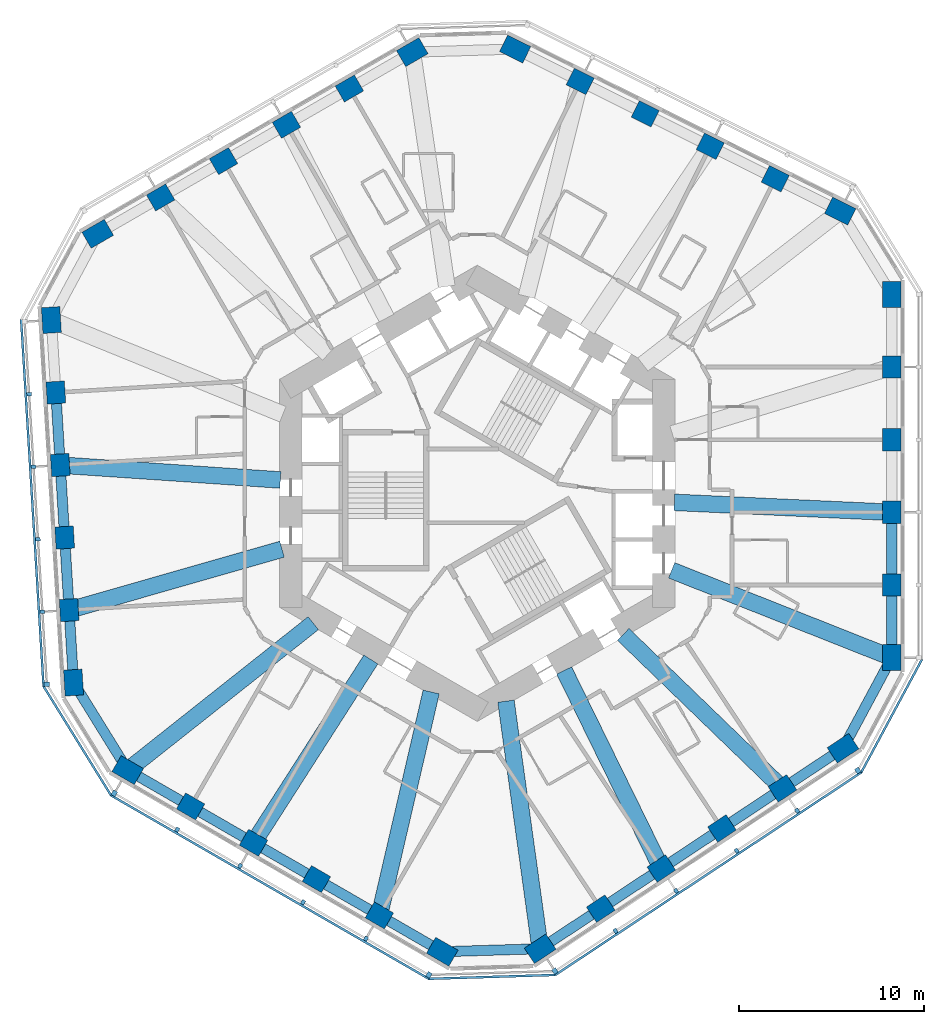
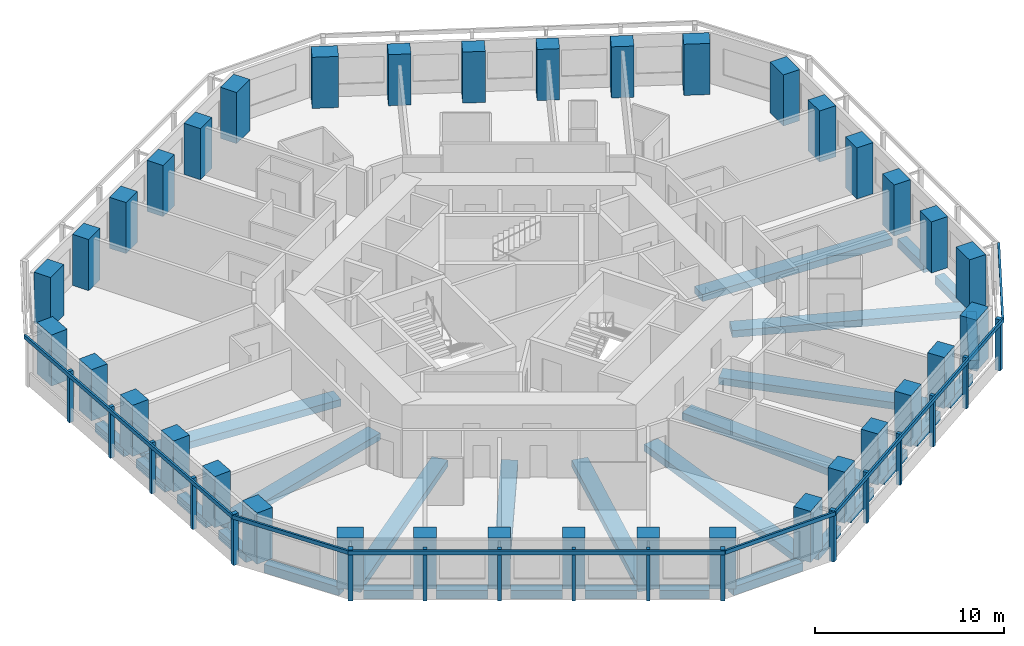
# One storey, part 1 of 12: 36 columns, 29 beams, 23 members, 6 elements without a shape of their own.
"""IFC4 building model written with IfcOpenShell, lengths in metres."""

from ifc_helpers import new_model, si_unit, direction, frame, origin, origin_2d, place, context, subcontext, project, spatial, rectangle, extrude, material, material_profile, profile_set, type_object, element, aggregate, save


model = new_model("IFC4")

# Units and contexts
model_context = context("Model", 3, precision=1e-05, world=origin(), true_north=direction((0.0, 1.0)))
body_context = subcontext(model_context, "Body", "Model", "MODEL_VIEW")
ifc_project = project(units=[si_unit("LENGTHUNIT", "METRE"), si_unit("AREAUNIT", "SQUARE_METRE"), si_unit("VOLUMEUNIT", "CUBIC_METRE"), si_unit("PLANEANGLEUNIT", "RADIAN"), si_unit("MASSUNIT", "GRAM", prefix="KILO")], contexts=[model_context])

# Site, building, storey
site_placement = place(None, origin())
site = spatial("IfcSite", under=ifc_project, at=site_placement, CompositionType="ELEMENT")
building_placement = place(site_placement, origin())
building = spatial("IfcBuilding", under=site, at=building_placement, Name="Vanh Sen Convention Tower", CompositionType="ELEMENT")
storey_placement = place(building_placement, frame((0.0, 0.0, 83.60009765625)))
storey = spatial("IfcBuildingStorey", under=building, at=storey_placement, Name="L18", CompositionType="ELEMENT", Elevation=83.60009765625)

# Columns
ifc_material_1 = material(Name="Concrete C80/95", Category="concrete")
ifc_material_profile_1 = material_profile(ifc_material_1, rectangle(XDim=1.199951171875, YDim=1.0, at=origin_2d()), Name="RC 1200X1000")
ifc_profile_set_1 = profile_set([ifc_material_profile_1], Name="Concrete C80/95")
column_type_1 = type_object("IfcColumnType", Name="Facade column 1200 x 1000 C80/95", PredefinedType="COLUMN", material=ifc_profile_set_1)
for number, where, z_axis, x_axis, name in (
    (1, (22.449951171875, -4.964599609375, 0.0), (0.0, 0.0, 1.0), (0.0, 1.0, 0.0), "Facade column 02 L18"),
    (2, (22.449951171875, -1.030029296875, 0.0), (0.0, 0.0, 1.0), (0.0, 1.0, 0.0), "Facade column 03 L18"),
    (3, (22.449951171875, 2.904541015625, 0.0), (0.0, 0.0, 1.0), (0.0, 1.0, 0.0), "Facade column 04 L18"),
    (4, (22.449951171875, 6.839111328125, 0.0), (0.0, 0.0, 1.0), (0.0, 1.0, 0.0), "Facade column 05 L18"),
    (5, (16.1376953125, 17.039794921875, 0.0), (0.0, 0.0, 1.0), (-0.894934361602, 0.44619781311, 0.0), "Facade column 08 L18"),
    (6, (12.616455078125, 18.79541015625, 0.0), (0.0, 0.0, 1.0), (-0.894934361602, 0.44619781311, 0.0), "Facade column 09 L18"),
    (7, (9.09521484375, 20.55078125, 0.0), (0.0, 0.0, 1.0), (-0.894934361602, 0.44619781311, 0.0), "Facade column 10 L18"),
    (8, (5.57421875, 22.306396484375, 0.0), (0.0, 0.0, 1.0), (-0.894934361602, 0.44619781311, 0.0), "Facade column 11 L18"),
    (9, (-6.925537109375, 21.924560546875, 0.0), (0.0, 0.0, 1.0), (-0.866025403784, -0.5, 0.0), "Facade column 14 L18"),
    (10, (-10.3330078125, 19.957275390625, 0.0), (0.0, 0.0, 1.0), (-0.866025403784, -0.5, 0.0), "Facade column 15 L18"),
    (11, (-13.740478515625, 17.989990234375, 0.0), (0.0, 0.0, 1.0), (-0.866025403784, -0.5, 0.0), "Facade column 16 L18"),
    (12, (-17.14794921875, 16.022705078125, 0.0), (0.0, 0.0, 1.0), (-0.866025403784, -0.5, 0.0), "Facade column 17 L18"),
    (13, (-22.82568359375, 5.455810546875, 0.0), (0.0, 0.0, 1.0), (0.061048539535, -0.998134798422, 0.0), "Facade column 20 L18"),
    (14, (-22.58544921875, 1.528564453125, 0.0), (0.0, 0.0, 1.0), (0.061048539535, -0.998134798422, 0.0), "Facade column 21 L18"),
    (15, (-22.34521484375, -2.398681640625, 0.0), (0.0, 0.0, 1.0), (0.061048539535, -0.998134798422, 0.0), "Facade column 22 L18"),
    (16, (-22.10498046875, -6.325927734375, 0.0), (0.0, 0.0, 1.0), (0.061048539535, -0.998134798422, 0.0), "Facade column 23 L18"),
    (17, (-15.5244140625, -16.9599609375, 0.0), (0.0, 0.0, 1.0), (0.866025403784, -0.5, 0.0), "Facade column 26 L18"),
    (18, (-12.1171875, -18.92724609375, 0.0), (0.0, 0.0, 1.0), (0.866025403784, -0.5, 0.0), "Facade column 27 L18"),
    (19, (-8.709716796875, -20.89453125, 0.0), (0.0, 0.0, 1.0), (0.866025403784, -0.5, 0.0), "Facade column 28 L18"),
    (20, (-5.302001953125, -22.86181640625, 0.0), (0.0, 0.0, 1.0), (0.866025403784, -0.5, 0.0), "Facade column 29 L18"),
    (21, (6.68798828125, -22.49560546875, 0.0), (0.0, 0.0, 1.0), (0.833885822067, 0.551936985312, 0.0), "Facade column 32 L18"),
    (22, (9.968994140625, -20.323974609375, 0.0), (0.0, 0.0, 1.0), (0.833885822067, 0.551936985312, 0.0), "Facade column 33 L18"),
    (23, (13.25, -18.152099609375, 0.0), (0.0, 0.0, 1.0), (0.833885822067, 0.551936985312, 0.0), "Facade column 34 L18"),
    (24, (16.531005859375, -15.980712890625, 0.0), (0.0, 0.0, 1.0), (0.833885822067, 0.551936985312, 0.0), "Facade column 35 L18"),
):
    element("IfcColumn", number, at=place(storey_placement, frame(where, z_axis=z_axis, x_axis=x_axis)), inside=storey, type_object=column_type_1, Name=name, PredefinedType="COLUMN", context=body_context, shape_type="SweptSolid", body=[
        extrude(rectangle(XDim=1.199951171875, YDim=1.0, at=origin_2d()), origin(), (0.0, 0.0, 1.0), 3.2998046875),
    ])
ifc_material_profile_2 = material_profile(ifc_material_1, rectangle(XDim=1.39990234375, YDim=1.0, at=origin_2d()), Name="RC 1400X1000")
ifc_profile_set_2 = profile_set([ifc_material_profile_2], Name="Concrete C80/95")
column_type_2 = type_object("IfcColumnType", Name="Facade corner column 1400 x 1000 C80/95", PredefinedType="COLUMN", material=ifc_profile_set_2)
for number, where, z_axis, x_axis, name in (
    (25, (22.449951171875, -8.899169921875, 0.0), (0.0, 0.0, 1.0), (0.0, 1.0, 0.0), "Facade column 01 L18"),
    (26, (22.449951171875, 10.773681640625, 0.0), (0.0, 0.0, 1.0), (0.0, 1.0, 0.0), "Facade column 06 L18"),
    (27, (19.658935546875, 15.2841796875, 0.0), (0.0, 0.0, 1.0), (-0.894934361602, 0.44619781311, 0.0), "Facade column 07 L18"),
    (28, (2.052978515625, 24.06201171875, 0.0), (0.0, 0.0, 1.0), (-0.894934361602, 0.44619781311, 0.0), "Facade column 12 L18"),
    (29, (-3.51806640625, 23.891845703125, 0.0), (0.0, 0.0, 1.0), (-0.866025403784, -0.5, 0.0), "Facade column 13 L18"),
    (30, (-20.555419921875, 14.055419921875, 0.0), (0.0, 0.0, 1.0), (-0.866025403784, -0.5, 0.0), "Facade column 18 L18"),
    (31, (-23.06591796875, 9.383056640625, 0.0), (0.0, 0.0, 1.0), (0.061048539535, -0.998134798422, 0.0), "Facade column 19 L18"),
    (32, (-21.86474609375, -10.253173828125, 0.0), (0.0, 0.0, 1.0), (0.061048539535, -0.998134798422, 0.0), "Facade column 24 L18"),
    (33, (-18.931884765625, -14.99267578125, 0.0), (0.0, 0.0, 1.0), (0.866025403784, -0.5, 0.0), "Facade column 25 L18"),
    (34, (-1.894775390625, -24.8291015625, 0.0), (0.0, 0.0, 1.0), (0.866025403784, -0.5, 0.0), "Facade column 30 L18"),
    (35, (3.406982421875, -24.6669921875, 0.0), (0.0, 0.0, 1.0), (0.833885822067, 0.551936985312, 0.0), "Facade column 31 L18"),
    (36, (19.81201171875, -13.808837890625, 0.0), (0.0, 0.0, 1.0), (0.833885822067, 0.551936985312, 0.0), "Facade column 36 L18"),
):
    element("IfcColumn", number, at=place(storey_placement, frame(where, z_axis=z_axis, x_axis=x_axis)), inside=storey, type_object=column_type_2, Name=name, PredefinedType="COLUMN", context=body_context, shape_type="SweptSolid", body=[
        extrude(rectangle(XDim=1.39990234375, YDim=1.0, at=origin_2d()), origin(), (0.0, 0.0, 1.0), 3.2998046875),
    ])

# Curtain wall, member
ifc_material_2 = material(Name="Concrete C50/60", Category="concrete")
curtain_wall_type = type_object("IfcCurtainWallType", Name="Outer skin hotel zone", PredefinedType="NOTDEFINED", material=ifc_material_2)
curtain_wall_1_placement = place(storey_placement, origin())
curtain_wall_1 = element("IfcCurtainWall", 37, at=curtain_wall_1_placement, inside=storey, type_object=curtain_wall_type, Name="OUTER SKIN W L18", PredefinedType="NOTDEFINED")
ifc_material_profile_3 = material_profile(ifc_material_2, rectangle(XDim=0.25, YDim=0.300048828125, at=origin_2d()), Name="Outer skin precast corner fin 250 x 300")
ifc_profile_set_3 = profile_set([ifc_material_profile_3], Name="Concrete C50/60")
member_type_1 = type_object("IfcMemberType", Name="Outer skin precast corner fin 250 x 300", PredefinedType="MULLION", material=ifc_profile_set_3)
member_1_placement = place(storey_placement, frame((-23.31201171875, -10.341796875, 0.0), z_axis=(0.0, 0.0, 1.0), x_axis=(0.061048539535, -0.998134798422, 0.0)))
member_1 = element("IfcMember", 38, at=member_1_placement, type_object=member_type_1, Name="OUTER SKIN CORNER FIN 6 W L18", PredefinedType="MULLION", context=body_context, shape_type="SweptSolid", body=[
    extrude(rectangle(XDim=0.25, YDim=0.300048828125, at=origin_2d()), origin(), (0.0, 0.0, 1.0), 3.2998046875),
])

# Curtain wall, members
curtain_wall_2_placement = place(storey_placement, origin())
curtain_wall_2 = element("IfcCurtainWall", 39, at=curtain_wall_2_placement, inside=storey, type_object=curtain_wall_type, Name="OUTER SKIN SW L18", PredefinedType="NOTDEFINED")
member_2_placement = place(storey_placement, frame((-19.656982421875, -16.248291015625, 0.0), z_axis=(0.0, 0.0, 1.0), x_axis=(0.866025403784, -0.5, 0.0)))
member_2 = element("IfcMember", 40, at=member_2_placement, type_object=member_type_1, Name="OUTER SKIN CORNER FIN 1 SW L18", PredefinedType="MULLION", context=body_context, shape_type="SweptSolid", body=[
    extrude(rectangle(XDim=0.25, YDim=0.300048828125, at=origin_2d()), origin(), (0.0, 0.0, 1.0), 3.2998046875),
])
member_3_placement = place(storey_placement, frame((-2.61962890625, -26.084716796875, 0.0), z_axis=(0.0, 0.0, 1.0), x_axis=(0.866025403784, -0.5, 0.0)))
member_3 = element("IfcMember", 41, at=member_3_placement, type_object=member_type_1, Name="OUTER SKIN CORNER FIN 6 SW L18", PredefinedType="MULLION", context=body_context, shape_type="SweptSolid", body=[
    extrude(rectangle(XDim=0.25, YDim=0.300048828125, at=origin_2d()), origin(), (0.0, 0.0, 1.0), 3.2998046875),
])

curtain_wall_3_placement = place(storey_placement, origin())
curtain_wall_3 = element("IfcCurtainWall", 42, at=curtain_wall_3_placement, inside=storey, type_object=curtain_wall_type, Name="OUTER SKIN SE L18", PredefinedType="NOTDEFINED")
member_4_placement = place(storey_placement, frame((4.207275390625, -25.876220703125, 0.0), z_axis=(0.0, 0.0, 1.0), x_axis=(0.833885822067, 0.551936985312, 0.0)))
member_4 = element("IfcMember", 43, at=member_4_placement, type_object=member_type_1, Name="OUTER SKIN CORNER FIN 1 SE L18", PredefinedType="MULLION", context=body_context, shape_type="SweptSolid", body=[
    extrude(rectangle(XDim=0.25, YDim=0.300048828125, at=origin_2d()), origin(), (0.0, 0.0, 1.0), 3.2998046875),
])
member_5_placement = place(storey_placement, frame((20.6123046875, -15.01806640625, 0.0), z_axis=(0.0, 0.0, 1.0), x_axis=(0.833885822067, 0.551936985312, 0.0)))
member_5 = element("IfcMember", 44, at=member_5_placement, type_object=member_type_1, Name="OUTER SKIN CORNER FIN 6 SE L18", PredefinedType="MULLION", context=body_context, shape_type="SweptSolid", body=[
    extrude(rectangle(XDim=0.25, YDim=0.300048828125, at=origin_2d()), origin(), (0.0, 0.0, 1.0), 3.2998046875),
])

# Member
ifc_material_profile_4 = material_profile(ifc_material_2, rectangle(XDim=0.199951171875, YDim=0.25, at=origin_2d()), Name="Outer skin precast fin 200 x 250")
ifc_profile_set_4 = profile_set([ifc_material_profile_4], Name="Concrete C50/60")
member_type_2 = type_object("IfcMemberType", Name="Outer skin precast fin 200 x 250", PredefinedType="MULLION", material=ifc_profile_set_4)
member_6_placement = place(storey_placement, frame((-24.27294921875, 5.3671875, 0.0), z_axis=(0.0, 0.0, 1.0), x_axis=(0.061048539535, -0.998134798422, 0.0)))
member_6 = element("IfcMember", 45, at=member_6_placement, type_object=member_type_2, Name="OUTER SKIN fin 2 W L18", PredefinedType="MULLION", context=body_context, shape_type="SweptSolid", body=[
    extrude(rectangle(XDim=0.199951171875, YDim=0.25, at=origin_2d()), origin(), (0.0, 0.0, 1.0), 3.2998046875),
])

member_7_placement = place(storey_placement, frame((-24.03271484375, 1.440185546875, 0.0), z_axis=(0.0, 0.0, 1.0), x_axis=(0.061048539535, -0.998134798422, 0.0)))
member_7 = element("IfcMember", 46, at=member_7_placement, type_object=member_type_2, Name="OUTER SKIN fin 3 W L18", PredefinedType="MULLION", context=body_context, shape_type="SweptSolid", body=[
    extrude(rectangle(XDim=0.199951171875, YDim=0.25, at=origin_2d()), origin(), (0.0, 0.0, 1.0), 3.2998046875),
])

member_8_placement = place(storey_placement, frame((-23.79248046875, -2.4873046875, 0.0), z_axis=(0.0, 0.0, 1.0), x_axis=(0.061048539535, -0.998134798422, 0.0)))
member_8 = element("IfcMember", 47, at=member_8_placement, type_object=member_type_2, Name="OUTER SKIN fin 4 W L18", PredefinedType="MULLION", context=body_context, shape_type="SweptSolid", body=[
    extrude(rectangle(XDim=0.199951171875, YDim=0.25, at=origin_2d()), origin(), (0.0, 0.0, 1.0), 3.2998046875),
])

member_9_placement = place(storey_placement, frame((-23.55224609375, -6.414306640625, 0.0), z_axis=(0.0, 0.0, 1.0), x_axis=(0.061048539535, -0.998134798422, 0.0)))
member_9 = element("IfcMember", 48, at=member_9_placement, type_object=member_type_2, Name="OUTER SKIN fin 5 W L18", PredefinedType="MULLION", context=body_context, shape_type="SweptSolid", body=[
    extrude(rectangle(XDim=0.199951171875, YDim=0.25, at=origin_2d()), origin(), (0.0, 0.0, 1.0), 3.2998046875),
])

member_10_placement = place(storey_placement, frame((-16.24951171875, -18.2158203125, 0.0), z_axis=(0.0, 0.0, 1.0), x_axis=(0.866025403784, -0.5, 0.0)))
member_10 = element("IfcMember", 49, at=member_10_placement, type_object=member_type_2, Name="OUTER SKIN fin 2 SW L18", PredefinedType="MULLION", context=body_context, shape_type="SweptSolid", body=[
    extrude(rectangle(XDim=0.199951171875, YDim=0.25, at=origin_2d()), origin(), (0.0, 0.0, 1.0), 3.2998046875),
])

member_11_placement = place(storey_placement, frame((-12.842041015625, -20.182861328125, 0.0), z_axis=(0.0, 0.0, 1.0), x_axis=(0.866025403784, -0.5, 0.0)))
member_11 = element("IfcMember", 50, at=member_11_placement, type_object=member_type_2, Name="OUTER SKIN fin 3 SW L18", PredefinedType="MULLION", context=body_context, shape_type="SweptSolid", body=[
    extrude(rectangle(XDim=0.199951171875, YDim=0.25, at=origin_2d()), origin(), (0.0, 0.0, 1.0), 3.2998046875),
])

member_12_placement = place(storey_placement, frame((-9.4345703125, -22.150146484375, 0.0), z_axis=(0.0, 0.0, 1.0), x_axis=(0.866025403784, -0.5, 0.0)))
member_12 = element("IfcMember", 51, at=member_12_placement, type_object=member_type_2, Name="OUTER SKIN fin 4 SW L18", PredefinedType="MULLION", context=body_context, shape_type="SweptSolid", body=[
    extrude(rectangle(XDim=0.199951171875, YDim=0.25, at=origin_2d()), origin(), (0.0, 0.0, 1.0), 3.2998046875),
])

member_13_placement = place(storey_placement, frame((-6.027099609375, -24.117431640625, 0.0), z_axis=(0.0, 0.0, 1.0), x_axis=(0.866025403784, -0.5, 0.0)))
member_13 = element("IfcMember", 52, at=member_13_placement, type_object=member_type_2, Name="OUTER SKIN fin 5 SW L18", PredefinedType="MULLION", context=body_context, shape_type="SweptSolid", body=[
    extrude(rectangle(XDim=0.199951171875, YDim=0.25, at=origin_2d()), origin(), (0.0, 0.0, 1.0), 3.2998046875),
])

member_14_placement = place(storey_placement, frame((7.48828125, -23.70458984375, 0.0), z_axis=(0.0, 0.0, 1.0), x_axis=(0.833885822067, 0.551936985312, 0.0)))
member_14 = element("IfcMember", 53, at=member_14_placement, type_object=member_type_2, Name="OUTER SKIN fin 2 SE L18", PredefinedType="MULLION", context=body_context, shape_type="SweptSolid", body=[
    extrude(rectangle(XDim=0.199951171875, YDim=0.25, at=origin_2d()), origin(), (0.0, 0.0, 1.0), 3.2998046875),
])

member_15_placement = place(storey_placement, frame((10.769287109375, -21.532958984375, 0.0), z_axis=(0.0, 0.0, 1.0), x_axis=(0.833885822067, 0.551936985312, 0.0)))
member_15 = element("IfcMember", 54, at=member_15_placement, type_object=member_type_2, Name="OUTER SKIN fin 3 SE L18", PredefinedType="MULLION", context=body_context, shape_type="SweptSolid", body=[
    extrude(rectangle(XDim=0.199951171875, YDim=0.25, at=origin_2d()), origin(), (0.0, 0.0, 1.0), 3.2998046875),
])

member_16_placement = place(storey_placement, frame((14.05029296875, -19.361328125, 0.0), z_axis=(0.0, 0.0, 1.0), x_axis=(0.833885822067, 0.551936985312, 0.0)))
member_16 = element("IfcMember", 55, at=member_16_placement, type_object=member_type_2, Name="OUTER SKIN fin 4 SE L18", PredefinedType="MULLION", context=body_context, shape_type="SweptSolid", body=[
    extrude(rectangle(XDim=0.199951171875, YDim=0.25, at=origin_2d()), origin(), (0.0, 0.0, 1.0), 3.2998046875),
])

member_17_placement = place(storey_placement, frame((17.331298828125, -17.189697265625, 0.0), z_axis=(0.0, 0.0, 1.0), x_axis=(0.833885822067, 0.551936985312, 0.0)))
member_17 = element("IfcMember", 56, at=member_17_placement, type_object=member_type_2, Name="OUTER SKIN fin 5 SE L18", PredefinedType="MULLION", context=body_context, shape_type="SweptSolid", body=[
    extrude(rectangle(XDim=0.199951171875, YDim=0.25, at=origin_2d()), origin(), (0.0, 0.0, 1.0), 3.2998046875),
])

ifc_material_profile_5 = material_profile(ifc_material_2, rectangle(XDim=0.1201171875, YDim=0.25, at=origin_2d()), Name="Outer skin precast spandrel band 250 x 120")
ifc_profile_set_5 = profile_set([ifc_material_profile_5], Name="Concrete C50/60")
member_type_3 = type_object("IfcMemberType", Name="Outer skin precast spandrel band 250 x 120", PredefinedType="USERDEFINED", material=ifc_profile_set_5)
member_18_placement = place(storey_placement, frame((-24.705322265625, 9.408203125, 3.1748046875), z_axis=(0.061050017989, -0.998134707995, 0.0), x_axis=(0.998134707995, 0.061050017989, 0.0)))
member_18 = element("IfcMember", 57, at=member_18_placement, type_object=member_type_3, Name="OUTER SKIN spandrel band W L18", ObjectType="TRANSOM", PredefinedType="USERDEFINED", context=body_context, shape_type="SweptSolid", body=[
    extrude(rectangle(XDim=0.1201171875, YDim=0.25, at=origin_2d()), origin(), (0.0, 0.0, 1.0), 19.923095703125),
])

aggregate(curtain_wall_1, [member_6, member_7, member_8, member_9, member_1, member_18])

# Curtain wall, member
curtain_wall_4_placement = place(storey_placement, origin())
curtain_wall_4 = element("IfcCurtainWall", 58, at=curtain_wall_4_placement, inside=storey, type_object=curtain_wall_type, Name="OUTER SKIN CH4 L18", PredefinedType="NOTDEFINED")
member_19_placement = place(storey_placement, frame((-23.49072265625, -10.4521484375, 3.1748046875), z_axis=(0.526196095141, -0.850363257354, 0.0), x_axis=(0.850363257354, 0.526196095141, 0.0)))
member_19 = element("IfcMember", 59, at=member_19_placement, type_object=member_type_3, Name="OUTER SKIN spandrel band CH4 L18", ObjectType="TRANSOM", PredefinedType="USERDEFINED", context=body_context, shape_type="SweptSolid", body=[
    extrude(rectangle(XDim=0.1201171875, YDim=0.25, at=origin_2d()), origin(), (0.0, 0.0, 1.0), 6.946044921875),
])
aggregate(curtain_wall_4, [member_19])

# Member
member_20_placement = place(storey_placement, frame((-19.85791015625, -16.34619140625, 3.1748046875), z_axis=(0.866028047459, -0.499995420993, 0.0), x_axis=(0.499995420993, 0.866028047459, 0.0)))
member_20 = element("IfcMember", 60, at=member_20_placement, type_object=member_type_3, Name="OUTER SKIN spandrel band SW L18", ObjectType="TRANSOM", PredefinedType="USERDEFINED", context=body_context, shape_type="SweptSolid", body=[
    extrude(rectangle(XDim=0.1201171875, YDim=0.25, at=origin_2d()), origin(), (0.0, 0.0, 1.0), 19.923095703125),
])

aggregate(curtain_wall_2, [member_2, member_10, member_11, member_12, member_13, member_3, member_20])

# Curtain wall, member
curtain_wall_5_placement = place(storey_placement, origin())
curtain_wall_5 = element("IfcCurtainWall", 61, at=curtain_wall_5_placement, inside=storey, type_object=curtain_wall_type, Name="OUTER SKIN CH5 L18", PredefinedType="NOTDEFINED")
member_21_placement = place(storey_placement, frame((-2.61328125, -26.294677734375, 3.1748046875), z_axis=(0.99953396928, 0.030526124156, 0.0), x_axis=(-0.030526124156, 0.99953396928, 0.0)))
member_21 = element("IfcMember", 62, at=member_21_placement, type_object=member_type_3, Name="OUTER SKIN spandrel band CH5 L18", ObjectType="TRANSOM", PredefinedType="USERDEFINED", context=body_context, shape_type="SweptSolid", body=[
    extrude(rectangle(XDim=0.1201171875, YDim=0.25, at=origin_2d()), origin(), (0.0, 0.0, 1.0), 6.830078125),
])
aggregate(curtain_wall_5, [member_21])

# Member
member_22_placement = place(storey_placement, frame((4.205078125, -26.099609375, 3.1748046875), z_axis=(0.833883851182, 0.551939962984, 0.0), x_axis=(-0.551939962984, 0.833883851182, 0.0)))
member_22 = element("IfcMember", 63, at=member_22_placement, type_object=member_type_3, Name="OUTER SKIN spandrel band SE L18", ObjectType="TRANSOM", PredefinedType="USERDEFINED", context=body_context, shape_type="SweptSolid", body=[
    extrude(rectangle(XDim=0.1201171875, YDim=0.25, at=origin_2d()), origin(), (0.0, 0.0, 1.0), 19.923095703125),
])

aggregate(curtain_wall_3, [member_4, member_14, member_15, member_16, member_17, member_5, member_22])

# Curtain wall, member
curtain_wall_6_placement = place(storey_placement, origin())
curtain_wall_6 = element("IfcCurtainWall", 64, at=curtain_wall_6_placement, inside=storey, type_object=curtain_wall_type, Name="OUTER SKIN CH6 L18", PredefinedType="NOTDEFINED")
member_23_placement = place(storey_placement, frame((20.797119140625, -15.117431640625, 3.1748046875), z_axis=(0.473324148816, 0.880888330123, 0.0), x_axis=(-0.880888330123, 0.473324148816, 0.0)))
member_23 = element("IfcMember", 65, at=member_23_placement, type_object=member_type_3, Name="OUTER SKIN spandrel band CH6 L18", ObjectType="TRANSOM", PredefinedType="USERDEFINED", context=body_context, shape_type="SweptSolid", body=[
    extrude(rectangle(XDim=0.1201171875, YDim=0.25, at=origin_2d()), origin(), (0.0, 0.0, 1.0), 6.9462890625),
])
aggregate(curtain_wall_6, [member_23])

# Beams
ifc_material_3 = material(Name="Concrete C50/60", Category="concrete")
ifc_material_profile_6 = material_profile(ifc_material_3, rectangle(XDim=0.89990234375, YDim=0.449951171875, at=origin_2d()), Name="RC 900X450")
ifc_profile_set_6 = profile_set([ifc_material_profile_6], Name="Concrete C50/60")
beam_type_1 = type_object("IfcBeamType", Name="Radial floor beam 900 x 450", PredefinedType="BEAM", material=ifc_profile_set_6)
beam_1_placement = place(storey_placement, frame((22.12060546875, -8.7685546875, -0.47509765625), z_axis=(-0.929625441153, 0.368505819713, 0.0), x_axis=(-0.368505819713, -0.929625441153, 0.0)))
element("IfcBeam", 66, at=beam_1_placement, inside=storey, type_object=beam_type_1, Name="Radial beam 01 L18", PredefinedType="BEAM", context=body_context, shape_type="SweptSolid", body=[
    extrude(rectangle(XDim=0.89990234375, YDim=0.449951171875, at=origin_2d()), origin(), (0.0, 0.0, 1.0), 12.468505859375),
])
beam_2_placement = place(storey_placement, frame((21.9755859375, -1.00830078125, -0.47509765625), z_axis=(-0.998948959247, 0.045836413684, 0.0), x_axis=(-0.045836413684, -0.998948959247, 0.0)))
element("IfcBeam", 67, at=beam_2_placement, inside=storey, type_object=beam_type_1, Name="Radial beam 02 L18", PredefinedType="BEAM", context=body_context, shape_type="SweptSolid", body=[
    extrude(rectangle(XDim=0.89990234375, YDim=0.449951171875, at=origin_2d()), origin(), (0.0, 0.0, 1.0), 11.313232421875),
])
beam_3_placement = place(storey_placement, frame((-22.1455078125, 1.498779296875, -0.47509765625), z_axis=(0.997717146338, -0.067531443814, 0.0), x_axis=(0.067531443814, 0.997717146338, 0.0)))
element("IfcBeam", 68, at=beam_3_placement, inside=storey, type_object=beam_type_1, Name="Radial beam 11 L18", PredefinedType="BEAM", context=body_context, shape_type="SweptSolid", body=[
    extrude(rectangle(XDim=0.89990234375, YDim=0.449951171875, at=origin_2d()), origin(), (0.0, 0.0, 1.0), 11.50732421875),
])
beam_4_placement = place(storey_placement, frame((-21.713134765625, -6.2138671875, -0.47509765625), z_axis=(0.96140779783, 0.27512732738, 0.0), x_axis=(-0.27512732738, 0.96140779783, 0.0)))
element("IfcBeam", 69, at=beam_4_placement, inside=storey, type_object=beam_type_1, Name="Radial beam 12 L18", PredefinedType="BEAM", context=body_context, shape_type="SweptSolid", body=[
    extrude(rectangle(XDim=0.89990234375, YDim=0.449951171875, at=origin_2d()), origin(), (0.0, 0.0, 1.0), 11.589111328125),
])
beam_5_placement = place(storey_placement, frame((-18.654052734375, -14.772705078125, -0.47509765625), z_axis=(0.783950127039, 0.620823806177, 0.0), x_axis=(-0.620823806177, 0.783950127039, 0.0)))
element("IfcBeam", 70, at=beam_5_placement, inside=storey, type_object=beam_type_1, Name="Radial beam 13 L18", PredefinedType="BEAM", context=body_context, shape_type="SweptSolid", body=[
    extrude(rectangle(XDim=0.89990234375, YDim=0.449951171875, at=origin_2d()), origin(), (0.0, 0.0, 1.0), 12.468505859375),
])
beam_6_placement = place(storey_placement, frame((-11.861083984375, -18.52734375, -0.47509765625), z_axis=(0.539166370538, 0.842199278604, 0.0), x_axis=(-0.842199278604, 0.539166370538, 0.0)))
element("IfcBeam", 71, at=beam_6_placement, inside=storey, type_object=beam_type_1, Name="Radial beam 14 L18", PredefinedType="BEAM", context=body_context, shape_type="SweptSolid", body=[
    extrude(rectangle(XDim=0.89990234375, YDim=0.449951171875, at=origin_2d()), origin(), (0.0, 0.0, 1.0), 11.31298828125),
])
beam_7_placement = place(storey_placement, frame((-5.216064453125, -22.4912109375, -0.47509765625), z_axis=(0.225903026676, 0.974149794713, 0.0), x_axis=(-0.974149794713, 0.225903026676, 0.0)))
element("IfcBeam", 72, at=beam_7_placement, inside=storey, type_object=beam_type_1, Name="Radial beam 15 L18", PredefinedType="BEAM", context=body_context, shape_type="SweptSolid", body=[
    extrude(rectangle(XDim=0.89990234375, YDim=0.449951171875, at=origin_2d()), origin(), (0.0, 0.0, 1.0), 12.044677734375),
])
beam_8_placement = place(storey_placement, frame((3.361328125, -24.336669921875, -0.47509765625), z_axis=(-0.13682259219, 0.990595567457, 0.0), x_axis=(-0.990595567457, -0.13682259219, 0.0)))
element("IfcBeam", 73, at=beam_8_placement, inside=storey, type_object=beam_type_1, Name="Radial beam 16 L18", PredefinedType="BEAM", context=body_context, shape_type="SweptSolid", body=[
    extrude(rectangle(XDim=0.89990234375, YDim=0.449951171875, at=origin_2d()), origin(), (0.0, 0.0, 1.0), 13.204345703125),
])
beam_9_placement = place(storey_placement, frame((9.774658203125, -19.927978515625, -0.47509765625), z_axis=(-0.440368849839, 0.897816950214, 0.0), x_axis=(-0.897816950214, -0.440368849839, 0.0)))
element("IfcBeam", 74, at=beam_9_placement, inside=storey, type_object=beam_type_1, Name="Radial beam 17 L18", PredefinedType="BEAM", context=body_context, shape_type="SweptSolid", body=[
    extrude(rectangle(XDim=0.89990234375, YDim=0.449951171875, at=origin_2d()), origin(), (0.0, 0.0, 1.0), 11.507080078125),
])
beam_10_placement = place(storey_placement, frame((16.23779296875, -15.697265625, -0.47509765625), z_axis=(-0.71897118158, 0.69503988379, 0.0), x_axis=(-0.69503988379, -0.71897118158, 0.0)))
element("IfcBeam", 75, at=beam_10_placement, inside=storey, type_object=beam_type_1, Name="Radial beam 18 L18", PredefinedType="BEAM", context=body_context, shape_type="SweptSolid", body=[
    extrude(rectangle(XDim=0.89990234375, YDim=0.449951171875, at=origin_2d()), origin(), (0.0, 0.0, 1.0), 11.589111328125),
])
ifc_material_profile_7 = material_profile(ifc_material_3, rectangle(XDim=0.550048828125, YDim=0.550048828125, at=origin_2d()), Name="RC 550X550")
ifc_profile_set_7 = profile_set([ifc_material_profile_7], Name="Concrete C50/60")
beam_type_2 = type_object("IfcBeamType", Name="Spandrel beam 550 x 550", PredefinedType="SPANDREL", material=ifc_profile_set_7)
beam_11_placement = place(storey_placement, frame((22.449951171875, -8.2041015625, -0.525146484375), z_axis=(0.0, 1.0, 0.0), x_axis=(-1.0, 0.0, 0.0)))
element("IfcBeam", 76, at=beam_11_placement, inside=storey, type_object=beam_type_2, Name="Spandrel beam 01 L18", PredefinedType="SPANDREL", context=body_context, shape_type="SweptSolid", body=[
    extrude(rectangle(XDim=0.550048828125, YDim=0.550048828125, at=origin_2d()), origin(), (0.0, 0.0, 1.0), 2.64453125),
])
beam_12_placement = place(storey_placement, frame((22.449951171875, -4.36962890625, -0.525146484375), z_axis=(0.0, 1.0, 0.0), x_axis=(-1.0, 0.0, 0.0)))
element("IfcBeam", 77, at=beam_12_placement, inside=storey, type_object=beam_type_2, Name="Spandrel beam 02 L18", PredefinedType="SPANDREL", context=body_context, shape_type="SweptSolid", body=[
    extrude(rectangle(XDim=0.550048828125, YDim=0.550048828125, at=origin_2d()), origin(), (0.0, 0.0, 1.0), 2.74462890625),
])
beam_13_placement = place(storey_placement, frame((-22.789306640625, 4.86181640625, -0.525146484375), z_axis=(0.061115489467, -0.998130701335, 0.0), x_axis=(0.998130701335, 0.061115489467, 0.0)))
element("IfcBeam", 78, at=beam_13_placement, inside=storey, type_object=beam_type_2, Name="Spandrel beam 20 L18", PredefinedType="SPANDREL", context=body_context, shape_type="SweptSolid", body=[
    extrude(rectangle(XDim=0.550048828125, YDim=0.550048828125, at=origin_2d()), origin(), (0.0, 0.0, 1.0), 2.744384765625),
])
beam_14_placement = place(storey_placement, frame((-22.549072265625, 0.934814453125, -0.525146484375), z_axis=(0.061021442686, -0.998136455367, 0.0), x_axis=(0.998136455367, 0.061021442686, 0.0)))
element("IfcBeam", 79, at=beam_14_placement, inside=storey, type_object=beam_type_2, Name="Spandrel beam 21 L18", PredefinedType="SPANDREL", context=body_context, shape_type="SweptSolid", body=[
    extrude(rectangle(XDim=0.550048828125, YDim=0.550048828125, at=origin_2d()), origin(), (0.0, 0.0, 1.0), 2.74462890625),
])
beam_15_placement = place(storey_placement, frame((-22.308837890625, -2.99267578125, -0.525146484375), z_axis=(0.061026861063, -0.998136124098, 0.0), x_axis=(0.998136124098, 0.061026861063, 0.0)))
element("IfcBeam", 80, at=beam_15_placement, inside=storey, type_object=beam_type_2, Name="Spandrel beam 22 L18", PredefinedType="SPANDREL", context=body_context, shape_type="SweptSolid", body=[
    extrude(rectangle(XDim=0.550048828125, YDim=0.550048828125, at=origin_2d()), origin(), (0.0, 0.0, 1.0), 2.744384765625),
])
beam_16_placement = place(storey_placement, frame((-22.068603515625, -6.919921875, -0.525146484375), z_axis=(0.061021844318, -0.998136430813, 0.0), x_axis=(0.998136430813, 0.061021844318, 0.0)))
element("IfcBeam", 81, at=beam_16_placement, inside=storey, type_object=beam_type_2, Name="Spandrel beam 23 L18", PredefinedType="SPANDREL", context=body_context, shape_type="SweptSolid", body=[
    extrude(rectangle(XDim=0.550048828125, YDim=0.550048828125, at=origin_2d()), origin(), (0.0, 0.0, 1.0), 2.64453125),
])
beam_17_placement = place(storey_placement, frame((-21.580810546875, -10.7119140625, -0.525146484375), z_axis=(0.526190044311, -0.850367001516, 0.0), x_axis=(0.850367001516, 0.526190044311, 0.0)))
element("IfcBeam", 82, at=beam_17_placement, inside=storey, type_object=beam_type_2, Name="Spandrel beam 24 L18", PredefinedType="SPANDREL", context=body_context, shape_type="SweptSolid", body=[
    extrude(rectangle(XDim=0.550048828125, YDim=0.550048828125, at=origin_2d()), origin(), (0.0, 0.0, 1.0), 4.49462890625),
])
beam_18_placement = place(storey_placement, frame((-18.330078125, -15.340087890625, -0.525146484375), z_axis=(0.865990340526, -0.500060726429, 0.0), x_axis=(0.500060726429, 0.865990340526, 0.0)))
element("IfcBeam", 83, at=beam_18_placement, inside=storey, type_object=beam_type_2, Name="Spandrel beam 25 L18", PredefinedType="SPANDREL", context=body_context, shape_type="SweptSolid", body=[
    extrude(rectangle(XDim=0.550048828125, YDim=0.550048828125, at=origin_2d()), origin(), (0.0, 0.0, 1.0), 2.644775390625),
])
for number, where, z_axis, x_axis, name in (
    (84, (-15.00927734375, -17.257568359375, -0.525146484375), (0.866067086513, -0.499927796446, 0.0), (0.499927796446, 0.866067086513, 0.0), "Spandrel beam 26 L18"),
    (85, (-11.601806640625, -19.224609375, -0.525146484375), (0.866028570666, -0.499994514761, 0.0), (0.499994514761, 0.866028570666, 0.0), "Spandrel beam 27 L18"),
    (86, (-8.1943359375, -21.19189453125, -0.525146484375), (0.866028570666, -0.499994514761, 0.0), (0.499994514761, 0.866028570666, 0.0), "Spandrel beam 28 L18"),
):
    element("IfcBeam", number, at=place(storey_placement, frame(where, z_axis=z_axis, x_axis=x_axis)), inside=storey, type_object=beam_type_2, Name=name, PredefinedType="SPANDREL", context=body_context, shape_type="SweptSolid", body=[
        extrude(rectangle(XDim=0.550048828125, YDim=0.550048828125, at=origin_2d()), origin(), (0.0, 0.0, 1.0), 2.74462890625),
    ])
beam_19_placement = place(storey_placement, frame((-4.786865234375, -23.1591796875, -0.525146484375), z_axis=(0.865990340526, -0.500060726429, 0.0), x_axis=(0.500060726429, 0.865990340526, 0.0)))
element("IfcBeam", 87, at=beam_19_placement, inside=storey, type_object=beam_type_2, Name="Spandrel beam 29 L18", PredefinedType="SPANDREL", context=body_context, shape_type="SweptSolid", body=[
    extrude(rectangle(XDim=0.550048828125, YDim=0.550048828125, at=origin_2d()), origin(), (0.0, 0.0, 1.0), 2.644775390625),
])
beam_20_placement = place(storey_placement, frame((-1.394287109375, -24.813720703125, -0.525146484375), z_axis=(0.999533914545, 0.030527916323, 0.0), x_axis=(-0.030527916323, 0.999533914545, 0.0)))
element("IfcBeam", 88, at=beam_20_placement, inside=storey, type_object=beam_type_2, Name="Spandrel beam 30 L18", PredefinedType="SPANDREL", context=body_context, shape_type="SweptSolid", body=[
    extrude(rectangle(XDim=0.550048828125, YDim=0.550048828125, at=origin_2d()), origin(), (0.0, 0.0, 1.0), 4.302490234375),
])
beam_21_placement = place(storey_placement, frame((3.986572265625, -24.283447265625, -0.525146484375), z_axis=(0.833892212548, 0.551927330227, 0.0), x_axis=(-0.551927330227, 0.833892212548, 0.0)))
element("IfcBeam", 89, at=beam_21_placement, inside=storey, type_object=beam_type_2, Name="Spandrel beam 31 L18", PredefinedType="SPANDREL", context=body_context, shape_type="SweptSolid", body=[
    extrude(rectangle(XDim=0.550048828125, YDim=0.550048828125, at=origin_2d()), origin(), (0.0, 0.0, 1.0), 2.644287109375),
])
beam_22_placement = place(storey_placement, frame((7.18408203125, -22.1669921875, -0.525146484375), z_axis=(0.833906917805, 0.551905111805, 0.0), x_axis=(-0.551905111805, 0.833906917805, 0.0)))
element("IfcBeam", 90, at=beam_22_placement, inside=storey, type_object=beam_type_2, Name="Spandrel beam 32 L18", PredefinedType="SPANDREL", context=body_context, shape_type="SweptSolid", body=[
    extrude(rectangle(XDim=0.550048828125, YDim=0.550048828125, at=origin_2d()), origin(), (0.0, 0.0, 1.0), 2.744384765625),
])
beam_23_placement = place(storey_placement, frame((10.465087890625, -19.99560546875, -0.525146484375), z_axis=(0.833865974996, 0.551966969794, 0.0), x_axis=(-0.551966969794, 0.833865974996, 0.0)))
element("IfcBeam", 91, at=beam_23_placement, inside=storey, type_object=beam_type_2, Name="Spandrel beam 33 L18", PredefinedType="SPANDREL", context=body_context, shape_type="SweptSolid", body=[
    extrude(rectangle(XDim=0.550048828125, YDim=0.550048828125, at=origin_2d()), origin(), (0.0, 0.0, 1.0), 2.74462890625),
])
beam_24_placement = place(storey_placement, frame((13.74609375, -17.82373046875, -0.525146484375), z_axis=(0.833906917805, 0.551905111805, 0.0), x_axis=(-0.551905111805, 0.833906917805, 0.0)))
element("IfcBeam", 92, at=beam_24_placement, inside=storey, type_object=beam_type_2, Name="Spandrel beam 34 L18", PredefinedType="SPANDREL", context=body_context, shape_type="SweptSolid", body=[
    extrude(rectangle(XDim=0.550048828125, YDim=0.550048828125, at=origin_2d()), origin(), (0.0, 0.0, 1.0), 2.744384765625),
])
beam_25_placement = place(storey_placement, frame((17.027099609375, -15.652099609375, -0.525146484375), z_axis=(0.833877845886, 0.551949035819, 0.0), x_axis=(-0.551949035819, 0.833877845886, 0.0)))
element("IfcBeam", 93, at=beam_25_placement, inside=storey, type_object=beam_type_2, Name="Spandrel beam 35 L18", PredefinedType="SPANDREL", context=body_context, shape_type="SweptSolid", body=[
    extrude(rectangle(XDim=0.550048828125, YDim=0.550048828125, at=origin_2d()), origin(), (0.0, 0.0, 1.0), 2.644775390625),
])
beam_26_placement = place(storey_placement, frame((20.0673828125, -13.33349609375, -0.525146484375), z_axis=(0.473312454828, 0.880894613507, 0.0), x_axis=(-0.880894613507, 0.473312454828, 0.0)))
element("IfcBeam", 94, at=beam_26_placement, inside=storey, type_object=beam_type_2, Name="Spandrel beam 36 L18", PredefinedType="SPANDREL", context=body_context, shape_type="SweptSolid", body=[
    extrude(rectangle(XDim=0.550048828125, YDim=0.550048828125, at=origin_2d()), origin(), (0.0, 0.0, 1.0), 4.494384765625),
])

save(model, "model.ifc")
